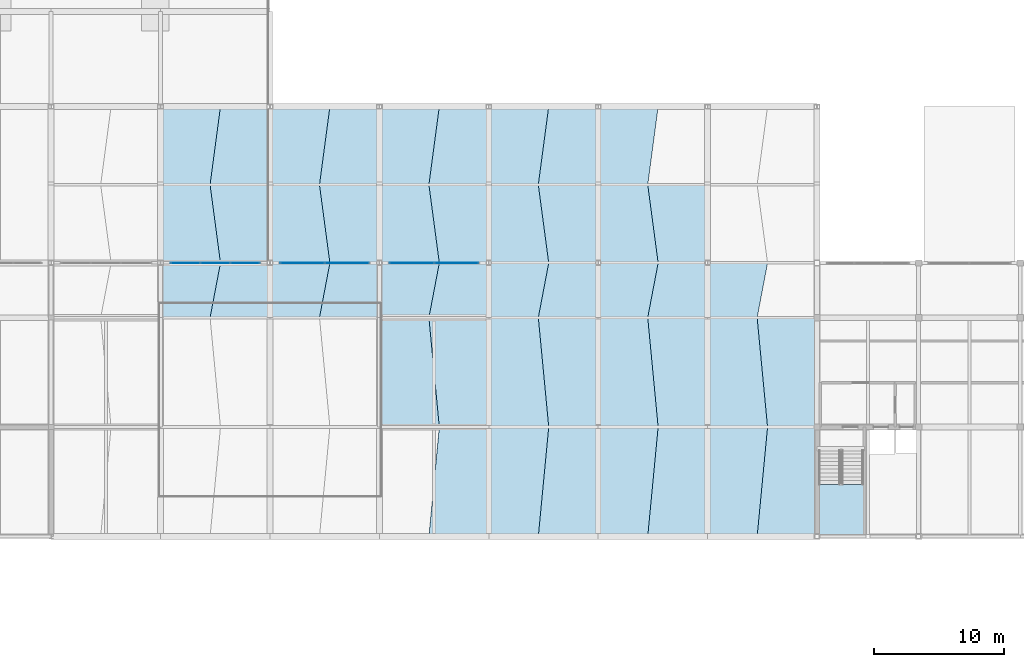
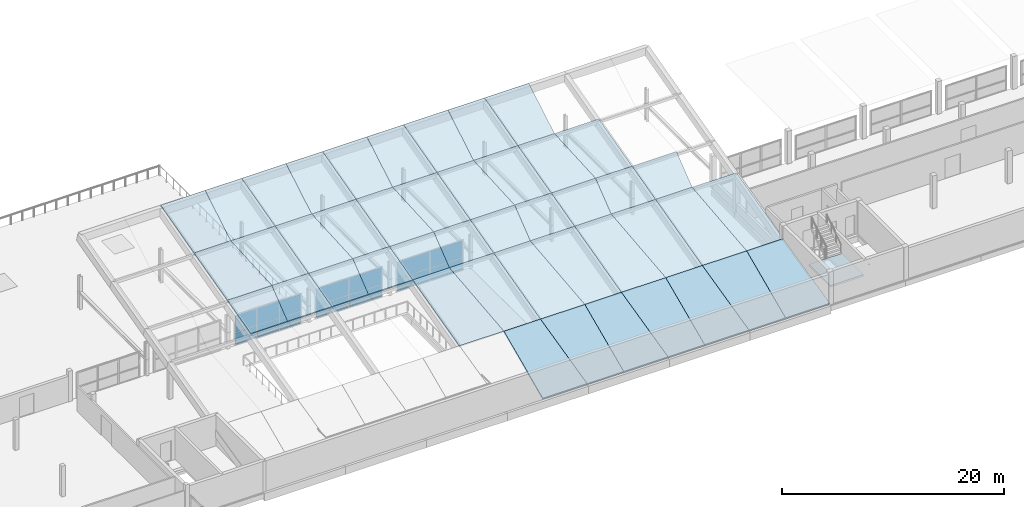
# One storey, part 36 of 51: 46 slabs, 14 plates, 4 elements without a shape of their own.
"""IFC4 building model written with IfcOpenShell, lengths in metres."""

from ifc_helpers import new_model, si_unit, direction, frame, origin, origin_2d, place, context, subcontext, project, spatial, polyline, rectangle, outline, extrude, material, layer, layer_set, type_object, element, aggregate, save


model = new_model("IFC4")

# Units and contexts
model_context = context("Model", 3, precision=1e-05, world=origin(), true_north=direction((0.0, 1.0)))
body_context = subcontext(model_context, "Body", "Model", "MODEL_VIEW")
ifc_project = project(units=[si_unit("LENGTHUNIT", "METRE"), si_unit("AREAUNIT", "SQUARE_METRE"), si_unit("VOLUMEUNIT", "CUBIC_METRE"), si_unit("PLANEANGLEUNIT", "RADIAN"), si_unit("MASSUNIT", "GRAM", prefix="KILO")], contexts=[model_context])

# Site, building, storey
site_placement = place(None, origin())
site = spatial("IfcSite", under=ifc_project, at=site_placement, CompositionType="ELEMENT")
building_placement = place(site_placement, origin())
building = spatial("IfcBuilding", under=site, at=building_placement, Name="Vharandega Faculty of Natural Sciences", CompositionType="ELEMENT")
storey_placement = place(building_placement, frame((0.0, 0.0, 18.0)))
storey = spatial("IfcBuildingStorey", under=building, at=storey_placement, Name="L04", CompositionType="ELEMENT", Elevation=18.0)

# Curtain wall, plates
ifc_material_1 = material(Name="Aluminium and solar-control glass curtain wall", Category="aluminium")
curtain_wall_type_1 = type_object("IfcCurtainWallType", Name="Unitised Curtain Wall System CW-22", PredefinedType="NOTDEFINED", material=ifc_material_1)
curtain_wall_1_placement = place(storey_placement, origin())
curtain_wall_1 = element("IfcCurtainWall", 1, at=curtain_wall_1_placement, inside=storey, type_object=curtain_wall_type_1, Name="Curtain Wall CW-L04-105", PredefinedType="NOTDEFINED")
ifc_material_2 = material(Name="Double-glazed low-E solar glass", Category="glass")
ifc_layer_1 = layer(ifc_material_2, 0.028076171875, Name="Double-glazed low-E solar glass")
ifc_layer_set_1 = layer_set([ifc_layer_1], Name="Double-glazed low-E solar glass")
plate_type = type_object("IfcPlateType", Name="CW Solar Vision Panel 28mm", PredefinedType="CURTAIN_PANEL", material=ifc_layer_set_1)
plate_1_placement = place(storey_placement, frame((66.308349609375, 85.0, 0.06005859375), z_axis=(0.0, 0.0, 1.0), x_axis=(1.0, 0.0, 0.0)))
plate_1 = element("IfcPlate", 2, at=plate_1_placement, type_object=plate_type, Name="CW-22 panel 1.1", PredefinedType="CURTAIN_PANEL", context=body_context, shape_type="SweptSolid", body=[
    extrude(rectangle(XDim=2.216552734375, YDim=0.028076171875, at=origin_2d()), origin(), (0.0, 0.0, 1.0), 1.304443359375),
])
plate_2_placement = place(storey_placement, frame((66.308349609375, 85.0, 1.42431640625), z_axis=(0.0, 0.0, 1.0), x_axis=(1.0, 0.0, 0.0)))
plate_2 = element("IfcPlate", 3, at=plate_2_placement, type_object=plate_type, Name="CW-22 panel 1.2", PredefinedType="CURTAIN_PANEL", context=body_context, shape_type="SweptSolid", body=[
    extrude(rectangle(XDim=2.216552734375, YDim=0.028076171875, at=origin_2d()), origin(), (0.0, 0.0, 1.0), 1.835693359375),
])
plate_3_placement = place(storey_placement, frame((68.60009765625, 85.0, 0.06005859375), z_axis=(0.0, 0.0, 1.0), x_axis=(1.0, 0.0, 0.0)))
plate_3 = element("IfcPlate", 4, at=plate_3_placement, type_object=plate_type, Name="CW-22 panel 2.1", PredefinedType="CURTAIN_PANEL", context=body_context, shape_type="SweptSolid", body=[
    extrude(rectangle(XDim=2.24658203125, YDim=0.028076171875, at=origin_2d()), origin(), (0.0, 0.0, 1.0), 1.304443359375),
])
plate_4_placement = place(storey_placement, frame((68.60009765625, 85.0, 1.42431640625), z_axis=(0.0, 0.0, 1.0), x_axis=(1.0, 0.0, 0.0)))
plate_4 = element("IfcPlate", 5, at=plate_4_placement, type_object=plate_type, Name="CW-22 panel 2.2", PredefinedType="CURTAIN_PANEL", context=body_context, shape_type="SweptSolid", body=[
    extrude(rectangle(XDim=2.24658203125, YDim=0.028076171875, at=origin_2d()), origin(), (0.0, 0.0, 1.0), 1.835693359375),
])
plate_5_placement = place(storey_placement, frame((70.8916015625, 85.0, 0.06005859375), z_axis=(0.0, 0.0, 1.0), x_axis=(1.0, 0.0, 0.0)))
plate_5 = element("IfcPlate", 6, at=plate_5_placement, type_object=plate_type, Name="CW-22 panel 3.1", PredefinedType="CURTAIN_PANEL", context=body_context, shape_type="SweptSolid", body=[
    extrude(rectangle(XDim=2.216552734375, YDim=0.028076171875, at=origin_2d()), origin(), (0.0, 0.0, 1.0), 1.304443359375),
])
plate_6_placement = place(storey_placement, frame((70.8916015625, 85.0, 1.42431640625), z_axis=(0.0, 0.0, 1.0), x_axis=(1.0, 0.0, 0.0)))
plate_6 = element("IfcPlate", 7, at=plate_6_placement, type_object=plate_type, Name="CW-22 panel 3.2", PredefinedType="CURTAIN_PANEL", context=body_context, shape_type="SweptSolid", body=[
    extrude(rectangle(XDim=2.216552734375, YDim=0.028076171875, at=origin_2d()), origin(), (0.0, 0.0, 1.0), 1.835693359375),
])
aggregate(curtain_wall_1, [plate_1, plate_2, plate_3, plate_4, plate_5, plate_6])

ifc_material_3 = material(Name="Aluminium and solar-control glass curtain wall", Category="aluminium")
curtain_wall_type_2 = type_object("IfcCurtainWallType", Name="Unitised Curtain Wall System CW-23", PredefinedType="NOTDEFINED", material=ifc_material_3)
curtain_wall_2_placement = place(storey_placement, origin())
curtain_wall_2 = element("IfcCurtainWall", 8, at=curtain_wall_2_placement, inside=storey, type_object=curtain_wall_type_2, Name="Curtain Wall CW-L04-106", PredefinedType="NOTDEFINED")
plate_7_placement = place(storey_placement, frame((75.284912109375, 85.0, 0.06005859375), z_axis=(0.0, 0.0, 1.0), x_axis=(1.0, 0.0, 0.0)))
plate_7 = element("IfcPlate", 9, at=plate_7_placement, type_object=plate_type, Name="CW-23 panel 1.1", PredefinedType="CURTAIN_PANEL", context=body_context, shape_type="SweptSolid", body=[
    extrude(rectangle(XDim=3.3701171875, YDim=0.028076171875, at=origin_2d()), origin(), (0.0, 0.0, 1.0), 1.304443359375),
])
plate_8_placement = place(storey_placement, frame((75.284912109375, 85.0, 1.42431640625), z_axis=(0.0, 0.0, 1.0), x_axis=(1.0, 0.0, 0.0)))
plate_8 = element("IfcPlate", 10, at=plate_8_placement, type_object=plate_type, Name="CW-23 panel 1.2", PredefinedType="CURTAIN_PANEL", context=body_context, shape_type="SweptSolid", body=[
    extrude(rectangle(XDim=3.3701171875, YDim=0.028076171875, at=origin_2d()), origin(), (0.0, 0.0, 1.0), 1.835693359375),
])
plate_9_placement = place(storey_placement, frame((78.715087890625, 85.0, 0.06005859375), z_axis=(0.0, 0.0, 1.0), x_axis=(1.0, 0.0, 0.0)))
plate_9 = element("IfcPlate", 11, at=plate_9_placement, type_object=plate_type, Name="CW-23 panel 2.1", PredefinedType="CURTAIN_PANEL", context=body_context, shape_type="SweptSolid", body=[
    extrude(rectangle(XDim=3.3701171875, YDim=0.028076171875, at=origin_2d()), origin(), (0.0, 0.0, 1.0), 1.304443359375),
])
plate_10_placement = place(storey_placement, frame((78.715087890625, 85.0, 1.42431640625), z_axis=(0.0, 0.0, 1.0), x_axis=(1.0, 0.0, 0.0)))
plate_10 = element("IfcPlate", 12, at=plate_10_placement, type_object=plate_type, Name="CW-23 panel 2.2", PredefinedType="CURTAIN_PANEL", context=body_context, shape_type="SweptSolid", body=[
    extrude(rectangle(XDim=3.3701171875, YDim=0.028076171875, at=origin_2d()), origin(), (0.0, 0.0, 1.0), 1.835693359375),
])
aggregate(curtain_wall_2, [plate_7, plate_8, plate_9, plate_10])

ifc_material_4 = material(Name="Aluminium and solar-control glass curtain wall", Category="aluminium")
curtain_wall_type_3 = type_object("IfcCurtainWallType", Name="Unitised Curtain Wall System CW-24", PredefinedType="NOTDEFINED", material=ifc_material_4)
curtain_wall_3_placement = place(storey_placement, origin())
curtain_wall_3 = element("IfcCurtainWall", 13, at=curtain_wall_3_placement, inside=storey, type_object=curtain_wall_type_3, Name="Curtain Wall CW-L04-107", PredefinedType="NOTDEFINED")
plate_11_placement = place(storey_placement, frame((83.68505859375, 85.0, 0.06005859375), z_axis=(0.0, 0.0, 1.0), x_axis=(1.0, 0.0, 0.0)))
plate_11 = element("IfcPlate", 14, at=plate_11_placement, type_object=plate_type, Name="CW-24 panel 1.1", PredefinedType="CURTAIN_PANEL", context=body_context, shape_type="SweptSolid", body=[
    extrude(rectangle(XDim=3.3701171875, YDim=0.028076171875, at=origin_2d()), origin(), (0.0, 0.0, 1.0), 1.304443359375),
])
plate_12_placement = place(storey_placement, frame((83.68505859375, 85.0, 1.42431640625), z_axis=(0.0, 0.0, 1.0), x_axis=(1.0, 0.0, 0.0)))
plate_12 = element("IfcPlate", 15, at=plate_12_placement, type_object=plate_type, Name="CW-24 panel 1.2", PredefinedType="CURTAIN_PANEL", context=body_context, shape_type="SweptSolid", body=[
    extrude(rectangle(XDim=3.3701171875, YDim=0.028076171875, at=origin_2d()), origin(), (0.0, 0.0, 1.0), 1.835693359375),
])
plate_13_placement = place(storey_placement, frame((87.114990234375, 85.0, 0.06005859375), z_axis=(0.0, 0.0, 1.0), x_axis=(1.0, 0.0, 0.0)))
plate_13 = element("IfcPlate", 16, at=plate_13_placement, type_object=plate_type, Name="CW-24 panel 2.1", PredefinedType="CURTAIN_PANEL", context=body_context, shape_type="SweptSolid", body=[
    extrude(rectangle(XDim=3.3701171875, YDim=0.028076171875, at=origin_2d()), origin(), (0.0, 0.0, 1.0), 1.304443359375),
])
plate_14_placement = place(storey_placement, frame((87.114990234375, 85.0, 1.42431640625), z_axis=(0.0, 0.0, 1.0), x_axis=(1.0, 0.0, 0.0)))
plate_14 = element("IfcPlate", 17, at=plate_14_placement, type_object=plate_type, Name="CW-24 panel 2.2", PredefinedType="CURTAIN_PANEL", context=body_context, shape_type="SweptSolid", body=[
    extrude(rectangle(XDim=3.3701171875, YDim=0.028076171875, at=origin_2d()), origin(), (0.0, 0.0, 1.0), 1.835693359375),
])
aggregate(curtain_wall_3, [plate_11, plate_12, plate_13, plate_14])

# Slabs
ifc_material_5 = material(Name="Concrete C40/50", Category="concrete")
ifc_layer_2 = layer(ifc_material_5, 0.159912109375, Name="Concrete C40/50")
ifc_layer_set_2 = layer_set([ifc_layer_2], Name="Concrete C40/50")
slab_type_1 = type_object("IfcSlabType", Name="Conoidal Shell Roof 160", PredefinedType="ROOF", material=ifc_layer_set_2)
slab_1_placement = place(storey_placement, frame((64.39990234375, 80.800048828125, 4.14990234375), z_axis=(0.0, -0.253383197308, 0.967365988301), x_axis=(1.0, 0.0, 0.0)))
element("IfcSlab", 18, at=slab_1_placement, inside=storey, type_object=slab_type_1, Name="Conoidal Shell Roof SH-B2-S3W", PredefinedType="ROOF", context=body_context, shape_type="SweptSolid", body=[
    extrude(outline(polyline([(0.0, 0.0), (3.800048828125, 0.0), (4.60009765625, 4.341636177689343), (0.0, 4.341636177689343), (0.0, 0.0)])), origin(), (0.0, 0.0, -1.0), 0.159912109375),
])
slab_2_placement = place(storey_placement, frame((68.199951171875, 80.800048828125, 4.14990234375), z_axis=(0.0, -0.253383197308, 0.967365988301), x_axis=(1.0, 0.0, 0.0)))
element("IfcSlab", 19, at=slab_2_placement, inside=storey, type_object=slab_type_1, Name="Conoidal Shell Roof SH-B2-S3E", PredefinedType="ROOF", context=body_context, shape_type="SweptSolid", body=[
    extrude(outline(polyline([(0.0, 0.0), (4.60009765625, 0.0), (4.60009765625, 4.341636177689343), (0.800048828125, 4.341636177689343), (0.0, 0.0)])), origin(), (0.0, 0.0, -1.0), 0.159912109375),
])
slab_3_placement = place(storey_placement, frame((64.39990234375, 85.0, 5.25), z_axis=(0.0, -0.250129418968, 0.968212411492), x_axis=(1.0, 0.0, 0.0)))
element("IfcSlab", 20, at=slab_3_placement, inside=storey, type_object=slab_type_1, Name="Conoidal Shell Roof SH-B2-S4W", PredefinedType="ROOF", context=body_context, shape_type="SweptSolid", body=[
    extrude(outline(polyline([(0.0, 0.0), (4.60009765625, 0.0), (3.800048828125, 6.196987281701625), (0.0, 6.196987281701625), (0.0, 0.0)])), origin(), (0.0, 0.0, -1.0), 0.159912109375),
])
slab_4_placement = place(storey_placement, frame((69.0, 85.0, 5.25), z_axis=(0.0, -0.250129418968, 0.968212411492), x_axis=(1.0, 0.0, 0.0)))
element("IfcSlab", 21, at=slab_4_placement, inside=storey, type_object=slab_type_1, Name="Conoidal Shell Roof SH-B2-S4E", PredefinedType="ROOF", context=body_context, shape_type="SweptSolid", body=[
    extrude(outline(polyline([(0.0, 0.0), (3.800048828125, 0.0), (3.800048828125, 6.196987281701625), (-0.800048828125, 6.196987281701625), (0.0, 0.0)])), origin(), (0.0, 0.0, -1.0), 0.159912109375),
])
slab_5_placement = place(storey_placement, frame((64.39990234375, 91.0, 6.800048828125), z_axis=(0.0, -0.257640626762, 0.966240812345), x_axis=(1.0, 0.0, 0.0)))
element("IfcSlab", 22, at=slab_5_placement, inside=storey, type_object=slab_type_1, Name="Conoidal Shell Roof SH-B2-S5W", PredefinedType="ROOF", context=body_context, shape_type="SweptSolid", body=[
    extrude(outline(polyline([(0.0, 0.0), (3.800048828125, 0.0), (4.60009765625, 6.209632136564747), (0.0, 6.209632136564747), (0.0, 0.0)])), origin(), (0.0, 0.0, -1.0), 0.159912109375),
])
slab_6_placement = place(storey_placement, frame((68.199951171875, 91.0, 6.800048828125), z_axis=(0.0, -0.257640626762, 0.966240812345), x_axis=(1.0, 0.0, 0.0)))
element("IfcSlab", 23, at=slab_6_placement, inside=storey, type_object=slab_type_1, Name="Conoidal Shell Roof SH-B2-S5E", PredefinedType="ROOF", context=body_context, shape_type="SweptSolid", body=[
    extrude(outline(polyline([(0.0, 0.0), (4.60009765625, 0.0), (4.60009765625, 6.209632136564747), (0.800048828125, 6.209632136564747), (0.0, 0.0)])), origin(), (0.0, 0.0, -1.0), 0.159912109375),
])
slab_7_placement = place(storey_placement, frame((72.800048828125, 80.800048828125, 4.14990234375), z_axis=(0.0, -0.253383197308, 0.967365988301), x_axis=(1.0, 0.0, 0.0)))
element("IfcSlab", 24, at=slab_7_placement, inside=storey, type_object=slab_type_1, Name="Conoidal Shell Roof SH-B3-S3W", PredefinedType="ROOF", context=body_context, shape_type="SweptSolid", body=[
    extrude(outline(polyline([(0.0, 0.0), (3.800048828125, 0.0), (4.599853515625, 4.3416361776893435), (0.0, 4.3416361776893435), (0.0, 0.0)])), origin(), (0.0, 0.0, -1.0), 0.159912109375),
])
slab_8_placement = place(storey_placement, frame((76.60009765625, 80.800048828125, 4.14990234375), z_axis=(0.0, -0.253383197308, 0.967365988301), x_axis=(1.0, 0.0, 0.0)))
element("IfcSlab", 25, at=slab_8_placement, inside=storey, type_object=slab_type_1, Name="Conoidal Shell Roof SH-B3-S3E", PredefinedType="ROOF", context=body_context, shape_type="SweptSolid", body=[
    extrude(outline(polyline([(0.0, 0.0), (4.599853515625, 0.0), (4.599853515625, 4.3416361776893435), (0.7998046875, 4.3416361776893435), (0.0, 0.0)])), origin(), (0.0, 0.0, -1.0), 0.159912109375),
])
slab_9_placement = place(storey_placement, frame((72.800048828125, 85.0, 5.25), z_axis=(0.0, -0.250129418968, 0.968212411492), x_axis=(1.0, 0.0, 0.0)))
element("IfcSlab", 26, at=slab_9_placement, inside=storey, type_object=slab_type_1, Name="Conoidal Shell Roof SH-B3-S4W", PredefinedType="ROOF", context=body_context, shape_type="SweptSolid", body=[
    extrude(outline(polyline([(0.0, 0.0), (4.599853515625, 0.0), (3.800048828125, 6.196987281701625), (0.0, 6.196987281701625), (0.0, 0.0)])), origin(), (0.0, 0.0, -1.0), 0.159912109375),
])
slab_10_placement = place(storey_placement, frame((77.39990234375, 85.0, 5.25), z_axis=(0.0, -0.250129418968, 0.968212411492), x_axis=(1.0, 0.0, 0.0)))
element("IfcSlab", 27, at=slab_10_placement, inside=storey, type_object=slab_type_1, Name="Conoidal Shell Roof SH-B3-S4E", PredefinedType="ROOF", context=body_context, shape_type="SweptSolid", body=[
    extrude(outline(polyline([(0.0, 0.0), (3.800048828125, 0.0), (3.800048828125, 6.196987281701625), (-0.7998046875, 6.196987281701625), (0.0, 0.0)])), origin(), (0.0, 0.0, -1.0), 0.159912109375),
])
slab_11_placement = place(storey_placement, frame((72.800048828125, 91.0, 6.800048828125), z_axis=(0.0, -0.257640626762, 0.966240812345), x_axis=(1.0, 0.0, 0.0)))
element("IfcSlab", 28, at=slab_11_placement, inside=storey, type_object=slab_type_1, Name="Conoidal Shell Roof SH-B3-S5W", PredefinedType="ROOF", context=body_context, shape_type="SweptSolid", body=[
    extrude(outline(polyline([(0.0, 0.0), (3.800048828125, 0.0), (4.599853515625, 6.209632136564747), (0.0, 6.209632136564747), (0.0, 0.0)])), origin(), (0.0, 0.0, -1.0), 0.159912109375),
])
slab_12_placement = place(storey_placement, frame((76.60009765625, 91.0, 6.800048828125), z_axis=(0.0, -0.257640626762, 0.966240812345), x_axis=(1.0, 0.0, 0.0)))
element("IfcSlab", 29, at=slab_12_placement, inside=storey, type_object=slab_type_1, Name="Conoidal Shell Roof SH-B3-S5E", PredefinedType="ROOF", context=body_context, shape_type="SweptSolid", body=[
    extrude(outline(polyline([(0.0, 0.0), (4.599853515625, 0.0), (4.599853515625, 6.209632136564747), (0.7998046875, 6.209632136564747), (0.0, 0.0)])), origin(), (0.0, 0.0, -1.0), 0.159912109375),
])
slab_13_placement = place(storey_placement, frame((85.0, 64.0, 0.0), z_axis=(0.0, -0.231623075633, 0.972805607937), x_axis=(1.0, 0.0, 0.0)))
element("IfcSlab", 30, at=slab_13_placement, inside=storey, type_object=slab_type_1, Name="Conoidal Shell Roof SH-B4-S1E", PredefinedType="ROOF", context=body_context, shape_type="SweptSolid", body=[
    extrude(outline(polyline([(0.0, 0.0), (4.60009765625, 0.0), (4.60009765625, 8.634718257391885), (0.800048828125, 8.634718257391885), (0.0, 0.0)])), origin(), (0.0, 0.0, -1.0), 0.159912109375),
])
slab_14_placement = place(storey_placement, frame((81.199951171875, 72.39990234375, 2.0), z_axis=(0.0, -0.247944487222, 0.968774241635), x_axis=(1.0, 0.0, 0.0)))
element("IfcSlab", 31, at=slab_14_placement, inside=storey, type_object=slab_type_1, Name="Conoidal Shell Roof SH-B4-S2W", PredefinedType="ROOF", context=body_context, shape_type="SweptSolid", body=[
    extrude(outline(polyline([(0.0, 0.0), (4.60009765625, 0.0), (3.800048828125, 8.670901974225025), (0.0, 8.670901974225025), (0.0, 0.0)])), origin(), (0.0, 0.0, -1.0), 0.159912109375),
])
slab_15_placement = place(storey_placement, frame((85.800048828125, 72.39990234375, 2.0), z_axis=(0.0, -0.247944487222, 0.968774241635), x_axis=(1.0, 0.0, 0.0)))
element("IfcSlab", 32, at=slab_15_placement, inside=storey, type_object=slab_type_1, Name="Conoidal Shell Roof SH-B4-S2E", PredefinedType="ROOF", context=body_context, shape_type="SweptSolid", body=[
    extrude(outline(polyline([(0.0, 0.0), (3.800048828125, 0.0), (3.800048828125, 8.670901974225025), (-0.800048828125, 8.670901974225025), (0.0, 0.0)])), origin(), (0.0, 0.0, -1.0), 0.159912109375),
])
slab_16_placement = place(storey_placement, frame((81.199951171875, 80.800048828125, 4.14990234375), z_axis=(0.0, -0.253383197308, 0.967365988301), x_axis=(1.0, 0.0, 0.0)))
element("IfcSlab", 33, at=slab_16_placement, inside=storey, type_object=slab_type_1, Name="Conoidal Shell Roof SH-B4-S3W", PredefinedType="ROOF", context=body_context, shape_type="SweptSolid", body=[
    extrude(outline(polyline([(0.0, 0.0), (3.800048828125, 0.0), (4.60009765625, 4.341636177689343), (0.0, 4.341636177689343), (0.0, 0.0)])), origin(), (0.0, 0.0, -1.0), 0.159912109375),
])
slab_17_placement = place(storey_placement, frame((85.0, 80.800048828125, 4.14990234375), z_axis=(0.0, -0.253383197308, 0.967365988301), x_axis=(1.0, 0.0, 0.0)))
element("IfcSlab", 34, at=slab_17_placement, inside=storey, type_object=slab_type_1, Name="Conoidal Shell Roof SH-B4-S3E", PredefinedType="ROOF", context=body_context, shape_type="SweptSolid", body=[
    extrude(outline(polyline([(0.0, 0.0), (4.60009765625, 0.0), (4.60009765625, 4.341636177689343), (0.800048828125, 4.341636177689343), (0.0, 0.0)])), origin(), (0.0, 0.0, -1.0), 0.159912109375),
])
slab_18_placement = place(storey_placement, frame((81.199951171875, 85.0, 5.25), z_axis=(0.0, -0.250129418968, 0.968212411492), x_axis=(1.0, 0.0, 0.0)))
element("IfcSlab", 35, at=slab_18_placement, inside=storey, type_object=slab_type_1, Name="Conoidal Shell Roof SH-B4-S4W", PredefinedType="ROOF", context=body_context, shape_type="SweptSolid", body=[
    extrude(outline(polyline([(0.0, 0.0), (4.60009765625, 0.0), (3.800048828125, 6.196987281701625), (0.0, 6.196987281701625), (0.0, 0.0)])), origin(), (0.0, 0.0, -1.0), 0.159912109375),
])
slab_19_placement = place(storey_placement, frame((85.800048828125, 85.0, 5.25), z_axis=(0.0, -0.250129418968, 0.968212411492), x_axis=(1.0, 0.0, 0.0)))
element("IfcSlab", 36, at=slab_19_placement, inside=storey, type_object=slab_type_1, Name="Conoidal Shell Roof SH-B4-S4E", PredefinedType="ROOF", context=body_context, shape_type="SweptSolid", body=[
    extrude(outline(polyline([(0.0, 0.0), (3.800048828125, 0.0), (3.800048828125, 6.196987281701625), (-0.800048828125, 6.196987281701625), (0.0, 0.0)])), origin(), (0.0, 0.0, -1.0), 0.159912109375),
])
slab_20_placement = place(storey_placement, frame((81.199951171875, 91.0, 6.800048828125), z_axis=(0.0, -0.257640626762, 0.966240812345), x_axis=(1.0, 0.0, 0.0)))
element("IfcSlab", 37, at=slab_20_placement, inside=storey, type_object=slab_type_1, Name="Conoidal Shell Roof SH-B4-S5W", PredefinedType="ROOF", context=body_context, shape_type="SweptSolid", body=[
    extrude(outline(polyline([(0.0, 0.0), (3.800048828125, 0.0), (4.60009765625, 6.209632136564747), (0.0, 6.209632136564747), (0.0, 0.0)])), origin(), (0.0, 0.0, -1.0), 0.159912109375),
])
slab_21_placement = place(storey_placement, frame((85.0, 91.0, 6.800048828125), z_axis=(0.0, -0.257640626762, 0.966240812345), x_axis=(1.0, 0.0, 0.0)))
element("IfcSlab", 38, at=slab_21_placement, inside=storey, type_object=slab_type_1, Name="Conoidal Shell Roof SH-B4-S5E", PredefinedType="ROOF", context=body_context, shape_type="SweptSolid", body=[
    extrude(outline(polyline([(0.0, 0.0), (4.60009765625, 0.0), (4.60009765625, 6.209632136564747), (0.800048828125, 6.209632136564747), (0.0, 0.0)])), origin(), (0.0, 0.0, -1.0), 0.159912109375),
])
slab_22_placement = place(storey_placement, frame((89.60009765625, 64.0, 0.0), z_axis=(0.0, -0.231623075633, 0.972805607937), x_axis=(1.0, 0.0, 0.0)))
element("IfcSlab", 39, at=slab_22_placement, inside=storey, type_object=slab_type_1, Name="Conoidal Shell Roof SH-B5-S1W", PredefinedType="ROOF", context=body_context, shape_type="SweptSolid", body=[
    extrude(outline(polyline([(0.0, 0.0), (3.7998046875, 0.0), (4.599853515625, 8.634718257391885), (0.0, 8.634718257391885), (0.0, 0.0)])), origin(), (0.0, 0.0, -1.0), 0.159912109375),
])
slab_23_placement = place(storey_placement, frame((93.39990234375, 64.0, 0.0), z_axis=(0.0, -0.231623075633, 0.972805607937), x_axis=(1.0, 0.0, 0.0)))
element("IfcSlab", 40, at=slab_23_placement, inside=storey, type_object=slab_type_1, Name="Conoidal Shell Roof SH-B5-S1E", PredefinedType="ROOF", context=body_context, shape_type="SweptSolid", body=[
    extrude(outline(polyline([(0.0, 0.0), (4.60009765625, 0.0), (4.60009765625, 8.634718257391885), (0.800048828125, 8.634718257391885), (0.0, 0.0)])), origin(), (0.0, 0.0, -1.0), 0.159912109375),
])
slab_24_placement = place(storey_placement, frame((89.60009765625, 72.39990234375, 2.0), z_axis=(0.0, -0.247944487222, 0.968774241635), x_axis=(1.0, 0.0, 0.0)))
element("IfcSlab", 41, at=slab_24_placement, inside=storey, type_object=slab_type_1, Name="Conoidal Shell Roof SH-B5-S2W", PredefinedType="ROOF", context=body_context, shape_type="SweptSolid", body=[
    extrude(outline(polyline([(0.0, 0.0), (4.599853515625, 0.0), (3.7998046875, 8.670901974225025), (0.0, 8.670901974225025), (0.0, 0.0)])), origin(), (0.0, 0.0, -1.0), 0.159912109375),
])
slab_25_placement = place(storey_placement, frame((94.199951171875, 72.39990234375, 2.0), z_axis=(0.0, -0.247944487222, 0.968774241635), x_axis=(1.0, 0.0, 0.0)))
element("IfcSlab", 42, at=slab_25_placement, inside=storey, type_object=slab_type_1, Name="Conoidal Shell Roof SH-B5-S2E", PredefinedType="ROOF", context=body_context, shape_type="SweptSolid", body=[
    extrude(outline(polyline([(0.0, 0.0), (3.800048828125, 0.0), (3.800048828125, 8.670901974225025), (-0.800048828125, 8.670901974225025), (0.0, 0.0)])), origin(), (0.0, 0.0, -1.0), 0.159912109375),
])
slab_26_placement = place(storey_placement, frame((89.60009765625, 80.800048828125, 4.14990234375), z_axis=(0.0, -0.253383197308, 0.967365988301), x_axis=(1.0, 0.0, 0.0)))
element("IfcSlab", 43, at=slab_26_placement, inside=storey, type_object=slab_type_1, Name="Conoidal Shell Roof SH-B5-S3W", PredefinedType="ROOF", context=body_context, shape_type="SweptSolid", body=[
    extrude(outline(polyline([(0.0, 0.0), (3.7998046875, 0.0), (4.599853515625, 4.341636177689343), (0.0, 4.341636177689343), (0.0, 0.0)])), origin(), (0.0, 0.0, -1.0), 0.159912109375),
])
slab_27_placement = place(storey_placement, frame((93.39990234375, 80.800048828125, 4.14990234375), z_axis=(0.0, -0.253383197308, 0.967365988301), x_axis=(1.0, 0.0, 0.0)))
element("IfcSlab", 44, at=slab_27_placement, inside=storey, type_object=slab_type_1, Name="Conoidal Shell Roof SH-B5-S3E", PredefinedType="ROOF", context=body_context, shape_type="SweptSolid", body=[
    extrude(outline(polyline([(0.0, 0.0), (4.60009765625, 0.0), (4.60009765625, 4.341636177689343), (0.800048828125, 4.341636177689343), (0.0, 0.0)])), origin(), (0.0, 0.0, -1.0), 0.159912109375),
])
slab_28_placement = place(storey_placement, frame((89.60009765625, 85.0, 5.25), z_axis=(0.0, -0.250129418968, 0.968212411492), x_axis=(1.0, 0.0, 0.0)))
element("IfcSlab", 45, at=slab_28_placement, inside=storey, type_object=slab_type_1, Name="Conoidal Shell Roof SH-B5-S4W", PredefinedType="ROOF", context=body_context, shape_type="SweptSolid", body=[
    extrude(outline(polyline([(0.0, 0.0), (4.599853515625, 0.0), (3.7998046875, 6.196987281701624), (0.0, 6.196987281701624), (0.0, 0.0)])), origin(), (0.0, 0.0, -1.0), 0.159912109375),
])
slab_29_placement = place(storey_placement, frame((94.199951171875, 85.0, 5.25), z_axis=(0.0, -0.250129418968, 0.968212411492), x_axis=(1.0, 0.0, 0.0)))
element("IfcSlab", 46, at=slab_29_placement, inside=storey, type_object=slab_type_1, Name="Conoidal Shell Roof SH-B5-S4E", PredefinedType="ROOF", context=body_context, shape_type="SweptSolid", body=[
    extrude(outline(polyline([(0.0, 0.0), (3.800048828125, 0.0), (3.800048828125, 6.196987281701625), (-0.800048828125, 6.196987281701625), (0.0, 0.0)])), origin(), (0.0, 0.0, -1.0), 0.159912109375),
])
slab_30_placement = place(storey_placement, frame((89.60009765625, 91.0, 6.800048828125), z_axis=(0.0, -0.257640626762, 0.966240812345), x_axis=(1.0, 0.0, 0.0)))
element("IfcSlab", 47, at=slab_30_placement, inside=storey, type_object=slab_type_1, Name="Conoidal Shell Roof SH-B5-S5W", PredefinedType="ROOF", context=body_context, shape_type="SweptSolid", body=[
    extrude(outline(polyline([(0.0, 0.0), (3.7998046875, 0.0), (4.599853515625, 6.209632136564747), (0.0, 6.209632136564747), (0.0, 0.0)])), origin(), (0.0, 0.0, -1.0), 0.159912109375),
])
slab_31_placement = place(storey_placement, frame((93.39990234375, 91.0, 6.800048828125), z_axis=(0.0, -0.257640626762, 0.966240812345), x_axis=(1.0, 0.0, 0.0)))
element("IfcSlab", 48, at=slab_31_placement, inside=storey, type_object=slab_type_1, Name="Conoidal Shell Roof SH-B5-S5E", PredefinedType="ROOF", context=body_context, shape_type="SweptSolid", body=[
    extrude(outline(polyline([(0.0, 0.0), (4.60009765625, 0.0), (4.60009765625, 6.209632136564747), (0.800048828125, 6.209632136564747), (0.0, 0.0)])), origin(), (0.0, 0.0, -1.0), 0.159912109375),
])
slab_32_placement = place(storey_placement, frame((98.0, 64.0, 0.0), z_axis=(0.0, -0.231623075633, 0.972805607937), x_axis=(1.0, 0.0, 0.0)))
element("IfcSlab", 49, at=slab_32_placement, inside=storey, type_object=slab_type_1, Name="Conoidal Shell Roof SH-B6-S1W", PredefinedType="ROOF", context=body_context, shape_type="SweptSolid", body=[
    extrude(outline(polyline([(0.0, 0.0), (3.800048828125, 0.0), (4.60009765625, 8.634718257391885), (0.0, 8.634718257391885), (0.0, 0.0)])), origin(), (0.0, 0.0, -1.0), 0.159912109375),
])
slab_33_placement = place(storey_placement, frame((101.800048828125, 64.0, 0.0), z_axis=(0.0, -0.231623075633, 0.972805607937), x_axis=(1.0, 0.0, 0.0)))
element("IfcSlab", 50, at=slab_33_placement, inside=storey, type_object=slab_type_1, Name="Conoidal Shell Roof SH-B6-S1E", PredefinedType="ROOF", context=body_context, shape_type="SweptSolid", body=[
    extrude(outline(polyline([(0.0, 0.0), (4.599853515625, 0.0), (4.599853515625, 8.634718257391885), (0.800048828125, 8.634718257391885), (0.0, 0.0)])), origin(), (0.0, 0.0, -1.0), 0.159912109375),
])
slab_34_placement = place(storey_placement, frame((98.0, 72.39990234375, 2.0), z_axis=(0.0, -0.247944487222, 0.968774241635), x_axis=(1.0, 0.0, 0.0)))
element("IfcSlab", 51, at=slab_34_placement, inside=storey, type_object=slab_type_1, Name="Conoidal Shell Roof SH-B6-S2W", PredefinedType="ROOF", context=body_context, shape_type="SweptSolid", body=[
    extrude(outline(polyline([(0.0, 0.0), (4.60009765625, 0.0), (3.800048828125, 8.670901974225025), (0.0, 8.670901974225025), (0.0, 0.0)])), origin(), (0.0, 0.0, -1.0), 0.159912109375),
])
slab_35_placement = place(storey_placement, frame((102.60009765625, 72.39990234375, 2.0), z_axis=(0.0, -0.247944487222, 0.968774241635), x_axis=(1.0, 0.0, 0.0)))
element("IfcSlab", 52, at=slab_35_placement, inside=storey, type_object=slab_type_1, Name="Conoidal Shell Roof SH-B6-S2E", PredefinedType="ROOF", context=body_context, shape_type="SweptSolid", body=[
    extrude(outline(polyline([(0.0, 0.0), (3.7998046875, 0.0), (3.7998046875, 8.670901974225025), (-0.800048828125, 8.670901974225025), (0.0, 0.0)])), origin(), (0.0, 0.0, -1.0), 0.159912109375),
])
slab_36_placement = place(storey_placement, frame((98.0, 80.800048828125, 4.14990234375), z_axis=(0.0, -0.253383197308, 0.967365988301), x_axis=(1.0, 0.0, 0.0)))
element("IfcSlab", 53, at=slab_36_placement, inside=storey, type_object=slab_type_1, Name="Conoidal Shell Roof SH-B6-S3W", PredefinedType="ROOF", context=body_context, shape_type="SweptSolid", body=[
    extrude(outline(polyline([(0.0, 0.0), (3.800048828125, 0.0), (4.60009765625, 4.341636177689343), (0.0, 4.341636177689343), (0.0, 0.0)])), origin(), (0.0, 0.0, -1.0), 0.159912109375),
])
slab_37_placement = place(storey_placement, frame((101.800048828125, 80.800048828125, 4.14990234375), z_axis=(0.0, -0.253383197308, 0.967365988301), x_axis=(1.0, 0.0, 0.0)))
element("IfcSlab", 54, at=slab_37_placement, inside=storey, type_object=slab_type_1, Name="Conoidal Shell Roof SH-B6-S3E", PredefinedType="ROOF", context=body_context, shape_type="SweptSolid", body=[
    extrude(outline(polyline([(0.0, 0.0), (4.599853515625, 0.0), (4.599853515625, 4.341636177689343), (0.800048828125, 4.341636177689343), (0.0, 0.0)])), origin(), (0.0, 0.0, -1.0), 0.159912109375),
])
slab_38_placement = place(storey_placement, frame((98.0, 85.0, 5.25), z_axis=(0.0, -0.250129418968, 0.968212411492), x_axis=(1.0, 0.0, 0.0)))
element("IfcSlab", 55, at=slab_38_placement, inside=storey, type_object=slab_type_1, Name="Conoidal Shell Roof SH-B6-S4W", PredefinedType="ROOF", context=body_context, shape_type="SweptSolid", body=[
    extrude(outline(polyline([(0.0, 0.0), (4.60009765625, 0.0), (3.800048828125, 6.196987281701625), (0.0, 6.196987281701625), (0.0, 0.0)])), origin(), (0.0, 0.0, -1.0), 0.159912109375),
])
slab_39_placement = place(storey_placement, frame((102.60009765625, 85.0, 5.25), z_axis=(0.0, -0.250129418968, 0.968212411492), x_axis=(1.0, 0.0, 0.0)))
element("IfcSlab", 56, at=slab_39_placement, inside=storey, type_object=slab_type_1, Name="Conoidal Shell Roof SH-B6-S4E", PredefinedType="ROOF", context=body_context, shape_type="SweptSolid", body=[
    extrude(outline(polyline([(0.0, 0.0), (3.7998046875, 0.0), (3.7998046875, 6.196987281701624), (-0.800048828125, 6.196987281701624), (0.0, 0.0)])), origin(), (0.0, 0.0, -1.0), 0.159912109375),
])
slab_40_placement = place(storey_placement, frame((98.0, 91.0, 6.800048828125), z_axis=(0.0, -0.257640626762, 0.966240812345), x_axis=(1.0, 0.0, 0.0)))
element("IfcSlab", 57, at=slab_40_placement, inside=storey, type_object=slab_type_1, Name="Conoidal Shell Roof SH-B6-S5W", PredefinedType="ROOF", context=body_context, shape_type="SweptSolid", body=[
    extrude(outline(polyline([(0.0, 0.0), (3.800048828125, 0.0), (4.60009765625, 6.209632136564747), (0.0, 6.209632136564747), (0.0, 0.0)])), origin(), (0.0, 0.0, -1.0), 0.159912109375),
])
slab_41_placement = place(storey_placement, frame((106.39990234375, 64.0, 0.0), z_axis=(0.0, -0.231623075633, 0.972805607937), x_axis=(1.0, 0.0, 0.0)))
element("IfcSlab", 58, at=slab_41_placement, inside=storey, type_object=slab_type_1, Name="Conoidal Shell Roof SH-B7-S1W", PredefinedType="ROOF", context=body_context, shape_type="SweptSolid", body=[
    extrude(outline(polyline([(0.0, 0.0), (3.800048828125, 0.0), (4.60009765625, 8.634718257391885), (0.0, 8.634718257391885), (0.0, 0.0)])), origin(), (0.0, 0.0, -1.0), 0.159912109375),
])
slab_42_placement = place(storey_placement, frame((110.199951171875, 64.0, 0.0), z_axis=(0.0, -0.231623075633, 0.972805607937), x_axis=(1.0, 0.0, 0.0)))
element("IfcSlab", 59, at=slab_42_placement, inside=storey, type_object=slab_type_1, Name="Conoidal Shell Roof SH-B7-S1E", PredefinedType="ROOF", context=body_context, shape_type="SweptSolid", body=[
    extrude(outline(polyline([(0.0, 0.0), (4.60009765625, 0.0), (4.60009765625, 8.634718257391885), (0.800048828125, 8.634718257391885), (0.0, 0.0)])), origin(), (0.0, 0.0, -1.0), 0.159912109375),
])
slab_43_placement = place(storey_placement, frame((106.39990234375, 72.39990234375, 2.0), z_axis=(0.0, -0.247944487222, 0.968774241635), x_axis=(1.0, 0.0, 0.0)))
element("IfcSlab", 60, at=slab_43_placement, inside=storey, type_object=slab_type_1, Name="Conoidal Shell Roof SH-B7-S2W", PredefinedType="ROOF", context=body_context, shape_type="SweptSolid", body=[
    extrude(outline(polyline([(0.0, 0.0), (4.60009765625, 0.0), (3.800048828125, 8.670901974225025), (0.0, 8.670901974225025), (0.0, 0.0)])), origin(), (0.0, 0.0, -1.0), 0.159912109375),
])
slab_44_placement = place(storey_placement, frame((111.0, 72.39990234375, 2.0), z_axis=(0.0, -0.247944487222, 0.968774241635), x_axis=(1.0, 0.0, 0.0)))
element("IfcSlab", 61, at=slab_44_placement, inside=storey, type_object=slab_type_1, Name="Conoidal Shell Roof SH-B7-S2E", PredefinedType="ROOF", context=body_context, shape_type="SweptSolid", body=[
    extrude(outline(polyline([(0.0, 0.0), (3.800048828125, 0.0), (3.800048828125, 8.670901974225025), (-0.800048828125, 8.670901974225025), (0.0, 0.0)])), origin(), (0.0, 0.0, -1.0), 0.159912109375),
])
slab_45_placement = place(storey_placement, frame((106.39990234375, 80.800048828125, 4.14990234375), z_axis=(0.0, -0.253383197308, 0.967365988301), x_axis=(1.0, 0.0, 0.0)))
element("IfcSlab", 62, at=slab_45_placement, inside=storey, type_object=slab_type_1, Name="Conoidal Shell Roof SH-B7-S3W", PredefinedType="ROOF", context=body_context, shape_type="SweptSolid", body=[
    extrude(outline(polyline([(0.0, 0.0), (3.800048828125, 0.0), (4.60009765625, 4.341636177689343), (0.0, 4.341636177689343), (0.0, 0.0)])), origin(), (0.0, 0.0, -1.0), 0.159912109375),
])

# Stair, slab
ifc_material_6 = material(Name="Concrete C40/50", Category="concrete")
stair_type = type_object("IfcStairType", Name="Escape Dog-Leg Stair W165 H360", PredefinedType="HALF_TURN_STAIR", material=ifc_material_6)
stair_placement = place(storey_placement, origin())
stair = element("IfcStair", 63, at=stair_placement, inside=storey, type_object=stair_type, Name="L04 Escape Stair ST1", PredefinedType="HALF_TURN_STAIR")
ifc_material_7 = material(Name="Concrete C40/50", Category="concrete")
ifc_layer_3 = layer(ifc_material_7, 0.199951171875, Name="Concrete C40/50")
ifc_layer_set_3 = layer_set([ifc_layer_3], Name="Concrete C40/50")
slab_type_2 = type_object("IfcSlabType", Name="Stair Half-Landing Slab 200", PredefinedType="LANDING", material=ifc_layer_set_3)
slab_46_placement = place(storey_placement, frame((0.0, 0.0, 1.60009765625)))
slab_46 = element("IfcSlab", 64, at=slab_46_placement, type_object=slab_type_2, Name="ST1 landing 1", PredefinedType="LANDING", context=body_context, shape_type="SweptSolid", body=[
    extrude(outline(polyline([(114.93994140625, 68.0), (114.93994140625, 64.139892578125), (118.360107421875, 64.139892578125), (118.360107421875, 68.0), (114.93994140625, 68.0)])), origin(), (0.0, 0.0, 1.0), 0.199951171875),
])
aggregate(stair, [slab_46])

save(model, "model.ifc")
